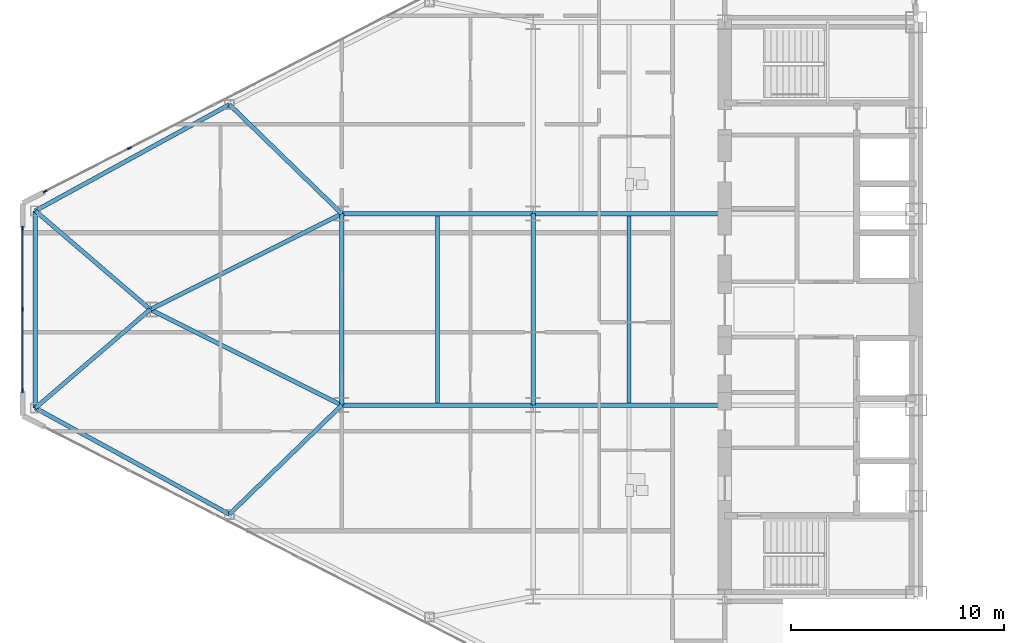
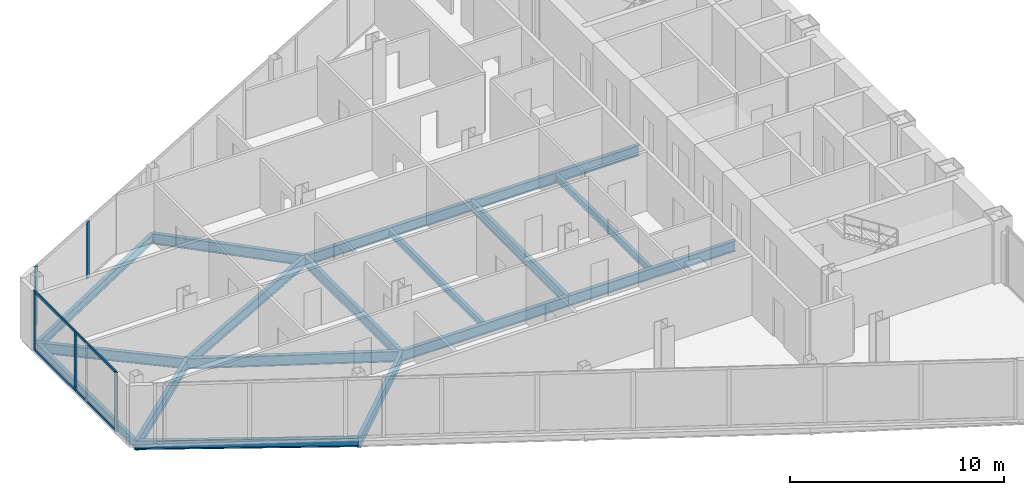
# One storey, part 4 of 24: 17 beams, 7 members, 2 elements without a shape of their own.
"""IFC4 building model written with IfcOpenShell, lengths in metres."""

from ifc_helpers import new_model, si_unit, direction, frame, origin, origin_2d, place, context, subcontext, project, spatial, rectangle, i_section, extrude, source, transform, mapped, material, layer, layer_set, material_profile, profile_set, type_object, type_shapes, element, aggregate, save


model = new_model("IFC4")

# Units and contexts
model_context = context("Model", 3, precision=1e-05, world=origin(), true_north=direction((0.0, 1.0)))
body_context = subcontext(model_context, "Body", "Model", "MODEL_VIEW")
ifc_project = project(units=[si_unit("LENGTHUNIT", "METRE"), si_unit("AREAUNIT", "SQUARE_METRE"), si_unit("VOLUMEUNIT", "CUBIC_METRE"), si_unit("PLANEANGLEUNIT", "RADIAN"), si_unit("MASSUNIT", "GRAM", prefix="KILO")], contexts=[model_context])

# Site, building, storey
site_placement = place(None, origin())
site = spatial("IfcSite", under=ifc_project, at=site_placement, CompositionType="ELEMENT")
building_placement = place(site_placement, origin())
building = spatial("IfcBuilding", under=site, at=building_placement, Name="Seokmaru Belvedere", CompositionType="ELEMENT")
storey_placement = place(building_placement, frame((0.0, 0.0, 117.60009765625)))
storey = spatial("IfcBuildingStorey", under=building, at=storey_placement, Name="L31", CompositionType="ELEMENT", Elevation=117.60009765625)

# Beams
ifc_material_1 = material(Name="Steel SM355 (355 MPa)", Category="steel")
ifc_material_profile_1 = material_profile(ifc_material_1, i_section(OverallWidth=0.199951171875, OverallDepth=0.60009765625, WebThickness=0.010986328125, FlangeThickness=0.01708984375, at=origin_2d()), Name="H-600x200x11x17")
ifc_profile_set_1 = profile_set([ifc_material_profile_1], Name="Steel SM355 (355 MPa)")
beam_type_1 = type_object("IfcBeamType", Name="Primary Floor Girder H-600", PredefinedType="BEAM", material=ifc_profile_set_1)
shared_shape_1 = source(origin(), body_context, "Body", "SweptSolid", [
    extrude(i_section(OverallWidth=0.199951171875, OverallDepth=0.60009765625, WebThickness=0.010986328125, FlangeThickness=0.01708984375, at=origin_2d()), origin(), (0.0, 0.0, 1.0), 9.0),
])
for number, where, z_axis, x_axis, name in (
    (1, (-45.5, -4.5, -0.52001953125), (0.0, 1.0, 0.0), (-1.0, 0.0, 0.0), "L31 W Interior Grid Girder 2"),
    (2, (-45.5, -4.5, -0.52001953125), (1.0, 0.0, 0.0), (0.0, 1.0, 0.0), "L31 W Wing Primary Girder 2"),
    (3, (-45.5, 4.5, -0.52001953125), (1.0, 0.0, 0.0), (0.0, 1.0, 0.0), "L31 W Wing Primary Girder 3"),
    (4, (-54.5, -4.5, -0.52001953125), (1.0, 0.0, 0.0), (0.0, 1.0, 0.0), "L31 W Outer Wing Girder 1"),
    (5, (-54.5, 4.5, -0.52001953125), (1.0, 0.0, 0.0), (0.0, 1.0, 0.0), "L31 W Outer Wing Girder 2"),
    (6, (-54.5, -4.5, -0.52001953125), (0.0, 1.0, 0.0), (-1.0, 0.0, 0.0), "L31 W Apex Frame Girder"),
):
    element("IfcBeam", number, at=place(storey_placement, frame(where, z_axis=z_axis, x_axis=x_axis)), inside=storey, type_object=beam_type_1, Name=name, PredefinedType="BEAM", context=body_context, shape_type="MappedRepresentation", body=[
        mapped(shared_shape_1, transform((0.0, 0.0, 0.0), scale=1.0)),
    ])
shared_shape_2 = source(origin(), body_context, "Body", "SweptSolid", [
    extrude(i_section(OverallWidth=0.199951171875, OverallDepth=0.60009765625, WebThickness=0.010986328125, FlangeThickness=0.01708984375, at=origin_2d()), origin(), (0.0, 0.0, 1.0), 10.062255859375),
])
for number, where, z_axis, x_axis, name in (
    (7, (-54.5, -4.5, -0.52001953125), (-0.894427191, 0.4472135955, 0.0), (-0.4472135955, -0.894427191, 0.0), "L31 W Apex Converging Girder 1"),
    (8, (-54.5, 4.5, -0.52001953125), (-0.894427191, -0.4472135955, 0.0), (0.4472135955, -0.894427191, 0.0), "L31 W Apex Converging Girder 2"),
):
    element("IfcBeam", number, at=place(storey_placement, frame(where, z_axis=z_axis, x_axis=x_axis)), inside=storey, type_object=beam_type_1, Name=name, PredefinedType="BEAM", context=body_context, shape_type="MappedRepresentation", body=[
        mapped(shared_shape_2, transform((0.0, 0.0, 0.0), scale=1.0)),
    ])
ifc_material_profile_2 = material_profile(ifc_material_1, i_section(OverallWidth=0.18505859375, OverallDepth=0.389892578125, WebThickness=0.008056640625, FlangeThickness=0.011962890625, at=origin_2d()), Name="H-390x185x8x12")
ifc_profile_set_2 = profile_set([ifc_material_profile_2], Name="Steel SM355 (355 MPa)")
beam_type_2 = type_object("IfcBeamType", Name="Secondary Floor Joist H-350", PredefinedType="JOIST", material=ifc_profile_set_2)
shared_shape_3 = source(origin(), body_context, "Body", "SweptSolid", [
    extrude(i_section(OverallWidth=0.18505859375, OverallDepth=0.389892578125, WebThickness=0.008056640625, FlangeThickness=0.011962890625, at=origin_2d()), origin(), (0.0, 0.0, 1.0), 8.7900390625),
])
type_shapes(beam_type_2, [shared_shape_3])
for number, where, z_axis, x_axis, name in (
    (9, (-41.0, -4.39501953125, -0.4150390625), (0.0, 1.0, 0.0), (-1.0, 0.0, 0.0), "L31 W Secondary Floor Joist 2"),
    (10, (-50.0, -4.39501953125, -0.4150390625), (0.0, 1.0, 0.0), (-1.0, 0.0, 0.0), "L31 W Outer Bay Secondary Joist"),
):
    element("IfcBeam", number, at=place(storey_placement, frame(where, z_axis=z_axis, x_axis=x_axis)), inside=storey, type_object=beam_type_2, Name=name, PredefinedType="JOIST", context=body_context, shape_type="MappedRepresentation", body=[
        mapped(shared_shape_3, transform((0.0, 0.0, 0.0), scale=1.0)),
    ])
ifc_material_profile_3 = material_profile(ifc_material_1, i_section(OverallWidth=0.199951171875, OverallDepth=0.5, WebThickness=0.010009765625, FlangeThickness=0.01611328125, at=origin_2d()), Name="H-500x200x10x16")
ifc_profile_set_3 = profile_set([ifc_material_profile_3], Name="Steel SM355 (355 MPa)")
beam_type_3 = type_object("IfcBeamType", Name="Perimeter Spandrel Beam H-500", PredefinedType="SPANDREL", material=ifc_profile_set_3)
shared_shape_4 = source(origin(), body_context, "Body", "SweptSolid", [
    extrude(i_section(OverallWidth=0.199951171875, OverallDepth=0.5, WebThickness=0.010009765625, FlangeThickness=0.01611328125, at=origin_2d()), origin(), (0.0, 0.0, 1.0), 10.399658203125),
])
for number, where, z_axis, x_axis, name in (
    (11, (-59.778564453125, -9.62890625, -0.47021484375), (-0.877082374422, 0.480339992587, 0.0), (-0.480339992587, -0.877082374422, 0.0), "L31 W Faceted Flank Spandrel S-4"),
    (12, (-59.778564453125, 9.62890625, -0.47021484375), (-0.877082374422, -0.480339992587, 0.0), (0.480339992587, -0.877082374422, 0.0), "L31 W Faceted Flank Spandrel N-4"),
):
    element("IfcBeam", number, at=place(storey_placement, frame(where, z_axis=z_axis, x_axis=x_axis)), inside=storey, type_object=beam_type_3, Name=name, PredefinedType="SPANDREL", context=body_context, shape_type="MappedRepresentation", body=[
        mapped(shared_shape_4, transform((0.0, 0.0, 0.0), scale=1.0)),
    ])
shared_shape_5 = source(origin(), body_context, "Body", "SweptSolid", [
    extrude(i_section(OverallWidth=0.199951171875, OverallDepth=0.5, WebThickness=0.010009765625, FlangeThickness=0.01611328125, at=origin_2d()), origin(), (0.0, 0.0, 1.0), 9.26708984375),
])
type_shapes(beam_type_3, [shared_shape_4, shared_shape_5])
beam_placement = place(storey_placement, frame((-68.89990234375, -4.633544921875, -0.47021484375), z_axis=(0.0, 1.0, 0.0), x_axis=(-1.0, 0.0, 0.0)))
element("IfcBeam", 13, at=beam_placement, inside=storey, type_object=beam_type_3, Name="L31 W Faceted Apex Spandrel", PredefinedType="SPANDREL", context=body_context, shape_type="MappedRepresentation", body=[
    mapped(shared_shape_5, transform((0.0, 0.0, 0.0), scale=1.0)),
])
shared_shape_6 = source(origin(), body_context, "Body", "SweptSolid", [
    extrude(i_section(OverallWidth=0.199951171875, OverallDepth=0.60009765625, WebThickness=0.010986328125, FlangeThickness=0.01708984375, at=origin_2d()), origin(), (0.0, 0.0, 1.0), 7.35986328125),
])
for number, where, z_axis, x_axis, name in (
    (14, (-59.778564453125, -9.62890625, -0.52001953125), (0.717200745515, 0.696866623273, 0.0), (-0.696866623273, 0.717200745515, 0.0), "L31 W Flank Radial Floor Girder S-3"),
    (15, (-59.778564453125, 9.62890625, -0.52001953125), (0.717200745515, -0.696866623273, 0.0), (0.696866623273, 0.717200745515, 0.0), "L31 W Flank Radial Floor Girder N-3"),
):
    element("IfcBeam", number, at=place(storey_placement, frame(where, z_axis=z_axis, x_axis=x_axis)), inside=storey, type_object=beam_type_1, Name=name, PredefinedType="BEAM", context=body_context, shape_type="MappedRepresentation", body=[
        mapped(shared_shape_6, transform((0.0, 0.0, 0.0), scale=1.0)),
    ])
shared_shape_7 = source(origin(), body_context, "Body", "SweptSolid", [
    extrude(i_section(OverallWidth=0.199951171875, OverallDepth=0.60009765625, WebThickness=0.010986328125, FlangeThickness=0.01708984375, at=origin_2d()), origin(), (0.0, 0.0, 1.0), 7.115478515625),
])
type_shapes(beam_type_1, [shared_shape_1, shared_shape_2, shared_shape_6, shared_shape_7])
for number, where, z_axis, x_axis, name in (
    (16, (-68.89990234375, -4.633544921875, -0.52001953125), (0.758905301881, 0.651201000289, 0.0), (-0.651201000289, 0.758905301881, 0.0), "L31 W Apex Radial Floor Girder 1"),
    (17, (-68.89990234375, 4.633544921875, -0.52001953125), (0.758905301881, -0.651201000289, 0.0), (0.651201000289, 0.758905301881, 0.0), "L31 W Apex Radial Floor Girder 2"),
):
    element("IfcBeam", number, at=place(storey_placement, frame(where, z_axis=z_axis, x_axis=x_axis)), inside=storey, type_object=beam_type_1, Name=name, PredefinedType="BEAM", context=body_context, shape_type="MappedRepresentation", body=[
        mapped(shared_shape_7, transform((0.0, 0.0, 0.0), scale=1.0)),
    ])

# Curtain wall, member
ifc_material_2 = material(Name="Bronze Triple Insulating Glass", Category="glass")
ifc_layer = layer(ifc_material_2, 0.195068359375)
ifc_layer_set = layer_set([ifc_layer], Name="Bronze Triple Insulating Glass")
curtain_wall_type = type_object("IfcCurtainWallType", Name="Sky-Lobby and Mid-Rise Curtain Wall System CW-4", PredefinedType="NOTDEFINED", material=ifc_layer_set)
curtain_wall_1_placement = place(storey_placement, origin())
curtain_wall_1 = element("IfcCurtainWall", 18, at=curtain_wall_1_placement, inside=storey, type_object=curtain_wall_type, Name="L31 Curtain Wall WF3", PredefinedType="NOTDEFINED")
ifc_material_3 = material(Name="Anodised Bronze Aluminium", Category="aluminium")
ifc_material_profile_4 = material_profile(ifc_material_3, rectangle(XDim=0.070068359375, YDim=0.195068359375, at=origin_2d()), Name="CW-M-70x195")
ifc_profile_set_4 = profile_set([ifc_material_profile_4], Name="Anodised Bronze Aluminium")
member_type_1 = type_object("IfcMemberType", Name="Bronze Unitised Mullion 70x195", PredefinedType="MULLION", material=ifc_profile_set_4)
shared_shape_8 = source(origin(), body_context, "Body", "SweptSolid", [
    extrude(rectangle(XDim=0.070068359375, YDim=0.195068359375, at=origin_2d()), origin(), (0.0, 0.0, 1.0), 3.3798828125),
])
member_1_placement = place(storey_placement, frame((-68.44580078125, 5.541015625, 0.0), z_axis=(0.0, 0.0, 1.0), x_axis=(0.456554528263, -0.889695432562, 0.0)))
member_1 = element("IfcMember", 19, at=member_1_placement, type_object=member_type_1, Name="CW:L31:WF3 Mullion 10", PredefinedType="MULLION", context=body_context, shape_type="MappedRepresentation", body=[
    mapped(shared_shape_8, transform((0.0, 0.0, 0.0), scale=1.0)),
])

# Curtain wall, members
curtain_wall_2_placement = place(storey_placement, origin())
curtain_wall_2 = element("IfcCurtainWall", 20, at=curtain_wall_2_placement, inside=storey, type_object=curtain_wall_type, Name="L31 Curtain Wall WF4", PredefinedType="NOTDEFINED")
member_2_placement = place(storey_placement, frame((-69.5, 3.81494140625, 0.0), z_axis=(0.0, 0.0, 1.0), x_axis=(1.0, 0.0, 0.0)))
member_2 = element("IfcMember", 21, at=member_2_placement, type_object=member_type_1, Name="CW:L31:WF4 Mullion 1", PredefinedType="MULLION", context=body_context, shape_type="MappedRepresentation", body=[
    mapped(shared_shape_8, transform((0.0, 0.0, 0.0), scale=1.0)),
])
member_3_placement = place(storey_placement, frame((-69.5, -3.81494140625, 0.0), z_axis=(0.0, 0.0, 1.0), x_axis=(1.0, 0.0, 0.0)))
member_3 = element("IfcMember", 22, at=member_3_placement, type_object=member_type_1, Name="CW:L31:WF4 Mullion 3", PredefinedType="MULLION", context=body_context, shape_type="MappedRepresentation", body=[
    mapped(shared_shape_8, transform((0.0, 0.0, 0.0), scale=1.0)),
])

# Member
shared_shape_9 = source(origin(), body_context, "Body", "SweptSolid", [
    extrude(rectangle(XDim=0.070068359375, YDim=0.195068359375, at=origin_2d()), origin(), (0.0, 0.0, 1.0), 3.25),
])
type_shapes(member_type_1, [shared_shape_8, shared_shape_9])
member_4_placement = place(storey_placement, frame((-64.48193359375, 7.574951171875, 0.06494140625), z_axis=(0.0, 0.0, 1.0), x_axis=(0.456554528263, -0.889695432562, 0.0)))
member_4 = element("IfcMember", 23, at=member_4_placement, type_object=member_type_1, Name="CW:L31:WF3 Mullion 9", PredefinedType="MULLION", context=body_context, shape_type="MappedRepresentation", body=[
    mapped(shared_shape_9, transform((0.0, 0.0, 0.0), scale=1.0)),
])

aggregate(curtain_wall_1, [member_4, member_1])

member_5_placement = place(storey_placement, frame((-69.5, 0.0, 0.06494140625), z_axis=(0.0, 0.0, 1.0), x_axis=(1.0, 0.0, 0.0)))
member_5 = element("IfcMember", 24, at=member_5_placement, type_object=member_type_1, Name="CW:L31:WF4 Mullion 2", PredefinedType="MULLION", context=body_context, shape_type="MappedRepresentation", body=[
    mapped(shared_shape_9, transform((0.0, 0.0, 0.0), scale=1.0)),
])

ifc_material_profile_5 = material_profile(ifc_material_3, rectangle(XDim=0.06494140625, YDim=0.14990234375, at=origin_2d()), Name="CW-T-65x150")
ifc_profile_set_5 = profile_set([ifc_material_profile_5], Name="Anodised Bronze Aluminium")
member_type_2 = type_object("IfcMemberType", Name="Bronze Unitised Transom 65x150", PredefinedType="USERDEFINED", material=ifc_profile_set_5)
shared_shape_10 = source(origin(), body_context, "Body", "SweptSolid", [
    extrude(rectangle(XDim=0.06494140625, YDim=0.14990234375, at=origin_2d()), origin(), (0.0, 0.0, 1.0), 7.56005859375),
])
type_shapes(member_type_2, [shared_shape_10])
member_6_placement = place(storey_placement, frame((-69.5, 3.780029296875, 0.032470703125), z_axis=(0.0, -1.0, 0.0), x_axis=(1.0, 0.0, 0.0)))
member_6 = element("IfcMember", 25, at=member_6_placement, type_object=member_type_2, Name="CW:L31:WF4 Continuous Transom 1", ObjectType="TRANSOM", PredefinedType="USERDEFINED", context=body_context, shape_type="MappedRepresentation", body=[
    mapped(shared_shape_10, transform((0.0, 0.0, 0.0), scale=1.0)),
])

member_7_placement = place(storey_placement, frame((-69.5, 3.780029296875, 3.347412109375), z_axis=(0.0, -1.0, 0.0), x_axis=(1.0, 0.0, 0.0)))
member_7 = element("IfcMember", 26, at=member_7_placement, type_object=member_type_2, Name="CW:L31:WF4 Continuous Transom 2", ObjectType="TRANSOM", PredefinedType="USERDEFINED", context=body_context, shape_type="MappedRepresentation", body=[
    mapped(shared_shape_10, transform((0.0, 0.0, 0.0), scale=1.0)),
])

aggregate(curtain_wall_2, [member_2, member_5, member_3, member_6, member_7])

save(model, "model.ifc")
